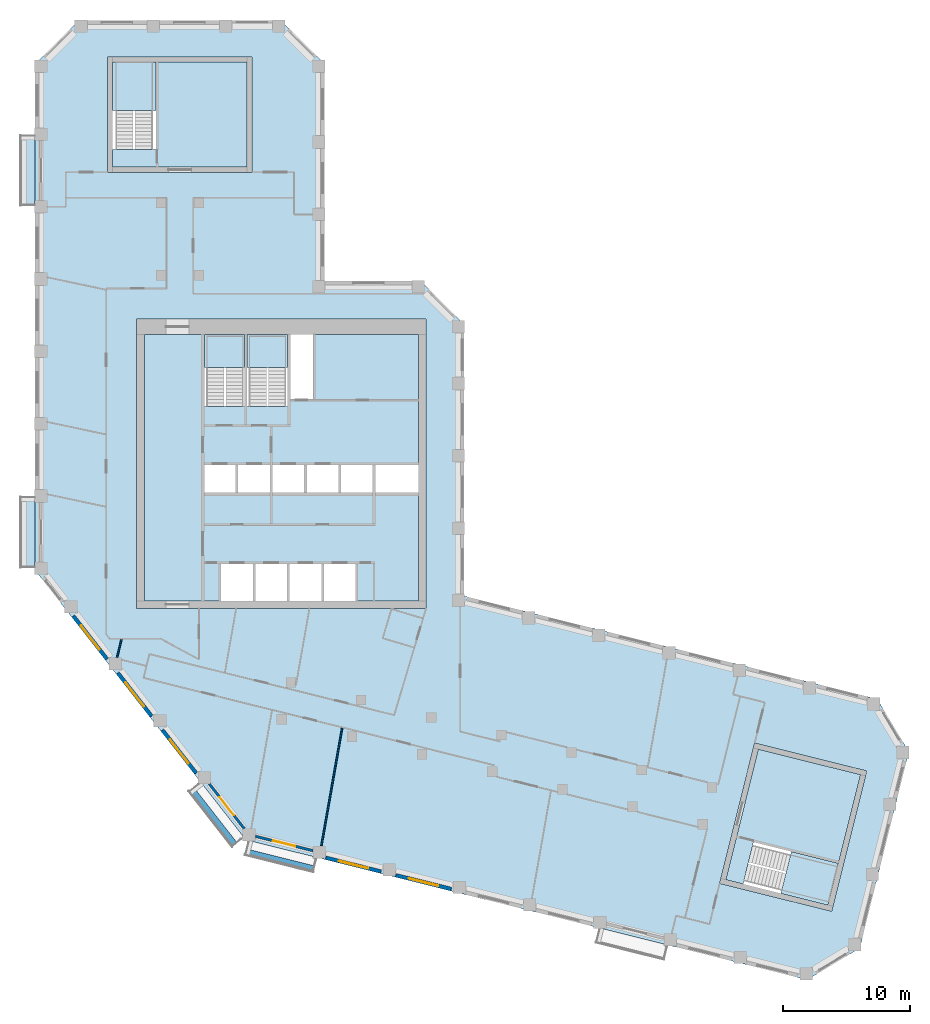
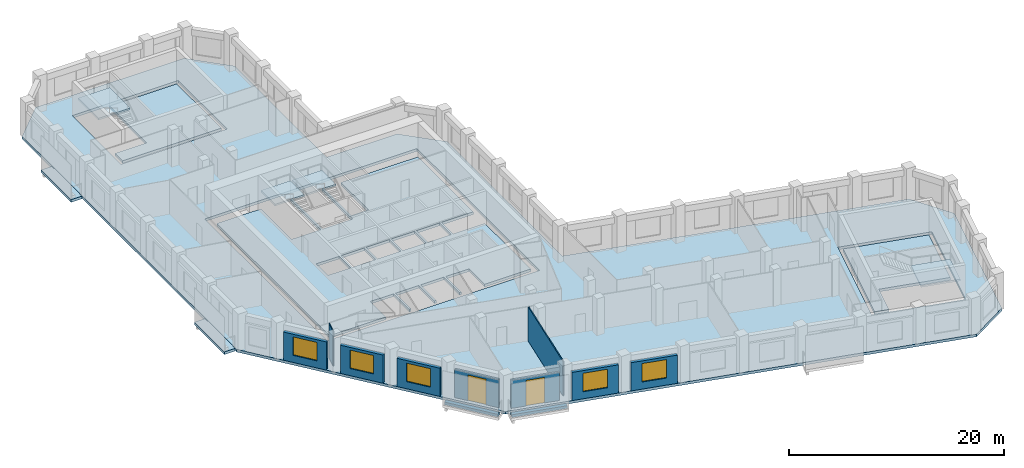
# One storey, part 2 of 9: 11 walls, 10 slabs, 5 windows, 2 doors, 7 openings, 4 elements without a shape of their own.
"""IFC4 building model written with IfcOpenShell, lengths in metres."""

from ifc_helpers import new_model, si_unit, direction, frame, frame_2d, origin, place, context, subcontext, project, spatial, polyline, rectangle, outline, extrude, material, layer, layer_set, type_object, element, fill, aggregate, save


model = new_model("IFC4")

# Units and contexts
model_context = context("Model", 3, precision=1e-05, world=origin(), true_north=direction((0.0, 1.0)))
body_context = subcontext(model_context, "Body", "Model", "MODEL_VIEW")
ifc_project = project(units=[si_unit("LENGTHUNIT", "METRE"), si_unit("AREAUNIT", "SQUARE_METRE"), si_unit("VOLUMEUNIT", "CUBIC_METRE"), si_unit("PLANEANGLEUNIT", "RADIAN"), si_unit("MASSUNIT", "GRAM", prefix="KILO")], contexts=[model_context])

# Site, building, storey
site_placement = place(None, origin())
site = spatial("IfcSite", under=ifc_project, at=site_placement, CompositionType="ELEMENT")
building_placement = place(site_placement, origin())
building = spatial("IfcBuilding", under=site, at=building_placement, Name="Meshkara Civic Tower", CompositionType="ELEMENT")
storey_placement = place(building_placement, frame((0.0, 0.0, 298.199951171875)))
storey = spatial("IfcBuildingStorey", under=building, at=storey_placement, Name="L68", CompositionType="ELEMENT", Elevation=298.199951171875)

# Slabs
ifc_material_1 = material(Name="Concrete C40", Category="concrete")
ifc_layer_1 = layer(ifc_material_1, 0.300048828125)
ifc_layer_set_1 = layer_set([ifc_layer_1], Name="BALCONY SLAB")
slab_type_1 = type_object("IfcSlabType", Name="BALCONY SLAB", PredefinedType="FLOOR", material=ifc_layer_set_1)
slab_1_placement = place(storey_placement, frame((0.0, 0.0, -0.300048828125)))
element("IfcSlab", 1, at=slab_1_placement, inside=storey, type_object=slab_type_1, Name="Balcony slab", PredefinedType="FLOOR", context=body_context, shape_type="SweptSolid", body=[
    extrude(outline(polyline([(-1.199951171875, 45.81494140625), (-1.199951171875, 51.39501953125), (-0.050048828125, 51.39501953125), (-0.050048828125, 50.955078125), (0.0, 50.955078125), (0.0, 46.2548828125), (-0.050048828125, 46.2548828125), (-0.050048828125, 45.81494140625), (-1.199951171875, 45.81494140625)])), origin(), (0.0, 0.0, 1.0), 0.300048828125),
])
slab_2_placement = place(storey_placement, frame((0.0, 0.0, -0.300048828125)))
element("IfcSlab", 2, at=slab_2_placement, inside=storey, type_object=slab_type_1, Name="Balcony slab", PredefinedType="FLOOR", context=body_context, shape_type="SweptSolid", body=[
    extrude(outline(polyline([(-1.199951171875, 17.31494140625), (-1.199951171875, 22.89501953125), (-0.050048828125, 22.89501953125), (-0.050048828125, 22.455078125), (0.0, 22.455078125), (0.0, 17.7548828125), (-0.050048828125, 17.7548828125), (-0.050048828125, 17.31494140625), (-1.199951171875, 17.31494140625)])), origin(), (0.0, 0.0, 1.0), 0.300048828125),
])
ifc_material_2 = material(Name="Concrete C40/50", Category="concrete")
ifc_layer_2 = layer(ifc_material_2, 0.300048828125)
ifc_layer_set_2 = layer_set([ifc_layer_2], Name="Core floor slab 300 C40/50")
slab_type_2 = type_object("IfcSlabType", Name="Core floor slab 300 C40/50", PredefinedType="FLOOR", material=ifc_layer_set_2)
slab_3_placement = place(storey_placement, frame((0.0, 0.0, -0.300048828125)))
element("IfcSlab", 3, at=slab_3_placement, inside=storey, type_object=slab_type_2, Name="Core floor K", PredefinedType="FLOOR", context=body_context, shape_type="SweptSolid", body=[
    extrude(outline(polyline([(8.60009765625, 35.699951171875), (13.35009765625, 35.699951171875), (13.35009765625, 30.00146484375), (16.5, 30.00146484375), (16.5, 35.699951171875), (16.699951171875, 35.699951171875), (16.699951171875, 30.00146484375), (19.89990234375, 30.00146484375), (19.89990234375, 35.699951171875), (20.10009765625, 35.699951171875), (20.10009765625, 30.574951171875), (21.925048828125, 30.574951171875), (21.925048828125, 35.699951171875), (30.199951171875, 35.699951171875), (30.199951171875, 25.39990234375), (26.800048828125, 25.39990234375), (26.800048828125, 23.25), (30.199951171875, 23.25), (30.199951171875, 14.699951171875), (25.25, 14.699951171875), (25.25, 17.60009765625), (22.75, 17.60009765625), (22.75, 14.699951171875), (22.550048828125, 14.699951171875), (22.550048828125, 17.60009765625), (20.050048828125, 17.60009765625), (20.050048828125, 14.699951171875), (19.85009765625, 14.699951171875), (19.85009765625, 17.60009765625), (17.35009765625, 17.60009765625), (17.35009765625, 14.699951171875), (17.14990234375, 14.699951171875), (17.14990234375, 17.60009765625), (14.64990234375, 17.60009765625), (14.64990234375, 14.699951171875), (8.60009765625, 14.699951171875), (8.60009765625, 35.699951171875)]), holes=[polyline([(13.35009765625, 25.39990234375), (13.35009765625, 23.25), (15.800048828125, 23.25), (15.800048828125, 25.39990234375), (13.35009765625, 25.39990234375)]), polyline([(18.5, 25.39990234375), (16.0, 25.39990234375), (16.0, 23.25), (18.5, 23.25), (18.5, 25.39990234375)]), polyline([(18.699951171875, 25.39990234375), (18.699951171875, 23.25), (21.199951171875, 23.25), (21.199951171875, 25.39990234375), (18.699951171875, 25.39990234375)]), polyline([(23.89990234375, 23.25), (23.89990234375, 25.39990234375), (21.39990234375, 25.39990234375), (21.39990234375, 23.25), (23.89990234375, 23.25)]), polyline([(26.60009765625, 25.39990234375), (24.10009765625, 25.39990234375), (24.10009765625, 23.25), (26.60009765625, 23.25), (26.60009765625, 25.39990234375)])]), origin(), (0.0, 0.0, 1.0), 0.300048828125),
])
slab_4_placement = place(storey_placement, frame((0.0, 0.0, -0.300048828125)))
element("IfcSlab", 4, at=slab_4_placement, inside=storey, type_object=slab_type_2, Name="Core floor EA", PredefinedType="FLOOR", context=body_context, shape_type="SweptSolid", body=[
    extrude(outline(polyline([(16.699951171875, 48.8701171875), (16.699951171875, 57.169921875), (9.5, 57.169921875), (9.5, 50.271484375), (6.10009765625, 50.271484375), (6.10009765625, 48.8701171875), (16.699951171875, 48.8701171875)])), origin(), (0.0, 0.0, 1.0), 0.300048828125),
])
slab_5_placement = place(storey_placement, frame((0.0, 0.0, -0.300048828125)))
element("IfcSlab", 5, at=slab_5_placement, inside=storey, type_object=slab_type_2, Name="Core floor EB", PredefinedType="FLOOR", context=body_context, shape_type="SweptSolid", body=[
    extrude(outline(polyline([(56.989013671875, 3.002197265625), (65.04248046875, 0.994384765625), (63.30078125, -5.99169921875), (56.607177734375, -4.322998046875), (55.78466796875, -7.621826171875), (54.4248046875, -7.282958984375), (56.989013671875, 3.002197265625)])), origin(), (0.0, 0.0, 1.0), 0.300048828125),
])

# Stair, slab
ifc_material_3 = material(Name="Precast concrete C40/50", Category="concrete")
stair_type = type_object("IfcStairType", Name="Exit stair half-turn 24 risers precast", PredefinedType="HALF_TURN_STAIR", material=ifc_material_3)
stair_1_placement = place(storey_placement, origin())
stair_1 = element("IfcStair", 6, at=stair_1_placement, inside=storey, type_object=stair_type, Name="L68 exit stair 1", PredefinedType="HALF_TURN_STAIR")
ifc_material_4 = material(Name="Precast concrete C40/50", Category="concrete")
ifc_layer_3 = layer(ifc_material_4, 0.199951171875)
ifc_layer_set_3 = layer_set([ifc_layer_3], Name="Exit stair landing 200")
slab_type_3 = type_object("IfcSlabType", Name="Exit stair landing 200", PredefinedType="LANDING", material=ifc_layer_set_3)
slab_6_placement = place(storey_placement, frame((0.0, 0.0, 1.900146484375)))
slab_6 = element("IfcSlab", 7, at=slab_6_placement, type_object=slab_type_3, Name="ST1 landing 1", PredefinedType="LANDING", context=body_context, shape_type="SweptSolid", body=[
    extrude(outline(polyline([(16.5, 33.07861328125), (16.5, 35.699951171875), (13.35009765625, 35.699951171875), (13.35009765625, 33.07861328125), (16.5, 33.07861328125)])), origin(), (0.0, 0.0, 1.0), 0.199951171875),
])
aggregate(stair_1, [slab_6])

stair_2_placement = place(storey_placement, origin())
stair_2 = element("IfcStair", 8, at=stair_2_placement, inside=storey, type_object=stair_type, Name="L68 exit stair 2", PredefinedType="HALF_TURN_STAIR")
slab_7_placement = place(storey_placement, frame((0.0, 0.0, 1.900146484375)))
slab_7 = element("IfcSlab", 9, at=slab_7_placement, type_object=slab_type_3, Name="ST2 landing 1", PredefinedType="LANDING", context=body_context, shape_type="SweptSolid", body=[
    extrude(outline(polyline([(19.89990234375, 33.07861328125), (19.89990234375, 35.699951171875), (16.699951171875, 35.699951171875), (16.699951171875, 33.07861328125), (19.89990234375, 33.07861328125)])), origin(), (0.0, 0.0, 1.0), 0.199951171875),
])
aggregate(stair_2, [slab_7])

stair_3_placement = place(storey_placement, origin())
stair_3 = element("IfcStair", 10, at=stair_3_placement, inside=storey, type_object=stair_type, Name="L68 exit stair A from L65", PredefinedType="HALF_TURN_STAIR")
slab_8_placement = place(storey_placement, frame((0.0, 0.0, 1.900146484375)))
slab_8 = element("IfcSlab", 11, at=slab_8_placement, type_object=slab_type_3, Name="ESA5 landing 1", PredefinedType="LANDING", context=body_context, shape_type="SweptSolid", body=[
    extrude(outline(polyline([(9.5, 53.348388671875), (9.5, 57.169921875), (6.10009765625, 57.169921875), (6.10009765625, 53.348388671875), (9.5, 53.348388671875)])), origin(), (0.0, 0.0, 1.0), 0.199951171875),
])
aggregate(stair_3, [slab_8])

stair_4_placement = place(storey_placement, origin())
stair_4 = element("IfcStair", 12, at=stair_4_placement, inside=storey, type_object=stair_type, Name="L68 exit stair B from L65", PredefinedType="HALF_TURN_STAIR")
slab_9_placement = place(storey_placement, frame((0.0, 0.0, 1.900146484375)))
slab_9 = element("IfcSlab", 13, at=slab_9_placement, type_object=slab_type_3, Name="ESB5 landing 1", PredefinedType="LANDING", context=body_context, shape_type="SweptSolid", body=[
    extrude(outline(polyline([(58.769775390625, -8.366943359375), (62.477783203125, -9.2919921875), (63.301025390625, -5.991943359375), (59.593017578125, -5.06689453125), (58.769775390625, -8.366943359375)])), origin(), (0.0, 0.0, 1.0), 0.199951171875),
])
aggregate(stair_4, [slab_9])

# Slab
ifc_material_5 = material(Name="Concrete C50", Category="concrete")
ifc_layer_4 = layer(ifc_material_5, 0.300048828125)
ifc_layer_set_4 = layer_set([ifc_layer_4], Name="Post-tensioned flat slab 300 C50")
slab_type_4 = type_object("IfcSlabType", Name="Post-tensioned flat slab 300 C50", PredefinedType="FLOOR", material=ifc_layer_set_4)
slab_10_placement = place(storey_placement, frame((0.0, 0.0, -0.300048828125)))
element("IfcSlab", 14, at=slab_10_placement, inside=storey, type_object=slab_type_4, Name="Post-tensioned flat slab L68", PredefinedType="FLOOR", context=body_context, shape_type="SweptSolid", body=[
    extrude(outline(polyline([(64.98291015625, -12.677001953125), (60.837890625, -15.1689453125), (16.592041015625, -4.136962890625), (0.0, 17.10009765625), (0.0, 57.0), (3.419921875, 60.419921875), (19.3798828125, 60.419921875), (22.800048828125, 57.0), (22.800048828125, 39.89990234375), (30.3798828125, 39.89990234375), (33.800048828125, 36.47998046875), (33.800048828125, 15.071044921875), (66.35302734375, 6.9541015625), (68.843994140625, 2.80810546875), (64.98291015625, -12.677001953125)]), holes=[polyline([(62.77001953125, -9.77587890625), (65.527099609375, 1.285888671875), (56.697998046875, 3.487060546875), (53.93994140625, -7.573974609375), (62.77001953125, -9.77587890625)]), polyline([(8.0, 14.10009765625), (30.800048828125, 14.10009765625), (30.800048828125, 36.89990234375), (8.0, 36.89990234375), (8.0, 14.10009765625)]), polyline([(5.699951171875, 57.570068359375), (5.699951171875, 48.469970703125), (17.10009765625, 48.469970703125), (17.10009765625, 57.570068359375), (5.699951171875, 57.570068359375)])]), origin(), (0.0, 0.0, 1.0), 0.300048828125),
])

# Wall, opening, window
ifc_material_6 = material(Name="Insulated infill panel with bronze anodised aluminium cladding", Category="aluminium")
ifc_layer_5 = layer(ifc_material_6, 0.300048828125)
ifc_layer_set_5 = layer_set([ifc_layer_5], Name="EXTERNAL INFILL WALL 300")
wall_type_1 = type_object("IfcWallType", Name="EXTERNAL INFILL WALL 300", PredefinedType="SOLIDWALL", material=ifc_layer_set_5)
wall_1_placement = place(storey_placement, frame((3.010009765625, 13.490966796875, 0.0), z_axis=(0.0, 0.0, 1.0), x_axis=(0.615713519567, -0.787970089421, 0.0)))
wall_1 = element("IfcWall", 15, at=wall_1_placement, inside=storey, type_object=wall_type_1, Name="External wall", PredefinedType="SOLIDWALL", context=body_context, shape_type="SweptSolid", body=[
    extrude(rectangle(XDim=4.2958984375, YDim=0.300048828125, at=frame_2d((2.14794921875, 0.0))), origin(), (0.0, 0.0, 1.0), 3.199951171875),
])
opening_1_placement = place(wall_1_placement, frame((0.947998046875, 0.0, 0.800048828125)))
opening_1 = element("IfcOpeningElement", 16, at=opening_1_placement, cuts=wall_1, Name="Opening W7", PredefinedType="OPENING", context=body_context, shape_type="SweptSolid", body=[
    extrude(rectangle(XDim=2.39990234375, YDim=2.10009765625, at=frame_2d((1.199951171875, 1.050048828125))), frame((0.0, 0.159912109375, 0.0), z_axis=(0.0, -1.0, 0.0), x_axis=(1.0, 0.0, 0.0)), (0.0, 0.0, 1.0), 0.320068359375),
])
ifc_material_7 = material(Name="Tinted double glazing", Category="glass")
window_type = type_object("IfcWindowType", Name="WINDOW 2400x2100", PartitioningType="DOUBLE_PANEL_VERTICAL", PredefinedType="WINDOW", material=ifc_material_7)
window_1_placement = place(opening_1_placement, origin())
window_1 = element("IfcWindow", 17, at=window_1_placement, inside=storey, type_object=window_type, Name="Window", OverallHeight=2.10009765625, OverallWidth=2.39990234375, PartitioningType="DOUBLE_PANEL_VERTICAL", PredefinedType="WINDOW", context=body_context, shape_type="SweptSolid", body=[
    extrude(rectangle(XDim=2.39990234375, YDim=2.10009765625, at=frame_2d((1.199951171875, 1.050048828125))), frame((0.0, 0.030029296875, 0.0), z_axis=(0.0, -1.0, 0.0), x_axis=(1.0, 0.0, 0.0)), (0.0, 0.0, 1.0), 0.06005859375),
])
fill(opening_1, window_1)

wall_2_placement = place(storey_placement, frame((6.51904296875, 9.0, 0.0), z_axis=(0.0, 0.0, 1.0), x_axis=(0.615634121154, -0.788032124263, 0.0)))
wall_2 = element("IfcWall", 18, at=wall_2_placement, inside=storey, type_object=wall_type_1, Name="External wall", PredefinedType="SOLIDWALL", context=body_context, shape_type="SweptSolid", body=[
    extrude(rectangle(XDim=4.298095703125, YDim=0.300048828125, at=frame_2d((2.14892578125, 0.0))), origin(), (0.0, 0.0, 1.0), 3.199951171875),
])
opening_2_placement = place(wall_2_placement, frame((0.948974609375, 0.0, 0.800048828125)))
opening_2 = element("IfcOpeningElement", 19, at=opening_2_placement, cuts=wall_2, Name="Opening W7", PredefinedType="OPENING", context=body_context, shape_type="SweptSolid", body=[
    extrude(rectangle(XDim=2.39990234375, YDim=2.10009765625, at=frame_2d((1.199951171875, 1.050048828125))), frame((0.0, 0.159912109375, 0.0), z_axis=(0.0, -1.0, 0.0), x_axis=(1.0, 0.0, 0.0)), (0.0, 0.0, 1.0), 0.320068359375),
])
window_2_placement = place(opening_2_placement, origin())
window_2 = element("IfcWindow", 20, at=window_2_placement, inside=storey, type_object=window_type, Name="Window", OverallHeight=2.10009765625, OverallWidth=2.39990234375, PartitioningType="DOUBLE_PANEL_VERTICAL", PredefinedType="WINDOW", context=body_context, shape_type="SweptSolid", body=[
    extrude(rectangle(XDim=2.39990234375, YDim=2.10009765625, at=frame_2d((1.199951171875, 1.050048828125))), frame((0.0, 0.030029296875, 0.0), z_axis=(0.0, -1.0, 0.0), x_axis=(1.0, 0.0, 0.0)), (0.0, 0.0, 1.0), 0.06005859375),
])
fill(opening_2, window_2)

wall_3_placement = place(storey_placement, frame((10.029052734375, 4.507080078125, 0.0), z_axis=(0.0, 0.0, 1.0), x_axis=(0.615572343689, -0.788080382756, 0.0)))
wall_3 = element("IfcWall", 21, at=wall_3_placement, inside=storey, type_object=wall_type_1, Name="External wall", PredefinedType="SOLIDWALL", context=body_context, shape_type="SweptSolid", body=[
    extrude(rectangle(XDim=4.295166015625, YDim=0.300048828125, at=frame_2d((2.1474609375, 0.0))), origin(), (0.0, 0.0, 1.0), 3.199951171875),
])
opening_3_placement = place(wall_3_placement, frame((0.947998046875, 0.0, 0.800048828125)))
opening_3 = element("IfcOpeningElement", 22, at=opening_3_placement, cuts=wall_3, Name="Opening W7", PredefinedType="OPENING", context=body_context, shape_type="SweptSolid", body=[
    extrude(rectangle(XDim=2.39990234375, YDim=2.10009765625, at=frame_2d((1.199951171875, 1.050048828125))), frame((0.0, 0.159912109375, 0.0), z_axis=(0.0, -1.0, 0.0), x_axis=(1.0, 0.0, 0.0)), (0.0, 0.0, 1.0), 0.320068359375),
])
window_3_placement = place(opening_3_placement, origin())
window_3 = element("IfcWindow", 23, at=window_3_placement, inside=storey, type_object=window_type, Name="Window", OverallHeight=2.10009765625, OverallWidth=2.39990234375, PartitioningType="DOUBLE_PANEL_VERTICAL", PredefinedType="WINDOW", context=body_context, shape_type="SweptSolid", body=[
    extrude(rectangle(XDim=2.39990234375, YDim=2.10009765625, at=frame_2d((1.199951171875, 1.050048828125))), frame((0.0, 0.030029296875, 0.0), z_axis=(0.0, -1.0, 0.0), x_axis=(1.0, 0.0, 0.0)), (0.0, 0.0, 1.0), 0.06005859375),
])
fill(opening_3, window_3)

wall_4_placement = place(storey_placement, frame((22.89794921875, -5.554931640625, 0.0), z_axis=(0.0, 0.0, 1.0), x_axis=(0.970315118421, -0.24184410467, 0.0)))
wall_4 = element("IfcWall", 24, at=wall_4_placement, inside=storey, type_object=wall_type_1, Name="External wall", PredefinedType="SOLIDWALL", context=body_context, shape_type="SweptSolid", body=[
    extrude(rectangle(XDim=4.486083984375, YDim=0.300048828125, at=frame_2d((2.2431640625, 0.0))), origin(), (0.0, 0.0, 1.0), 3.199951171875),
])
opening_4_placement = place(wall_4_placement, frame((1.0439453125, 0.0, 0.800048828125)))
opening_4 = element("IfcOpeningElement", 25, at=opening_4_placement, cuts=wall_4, Name="Opening W7", PredefinedType="OPENING", context=body_context, shape_type="SweptSolid", body=[
    extrude(rectangle(XDim=2.39990234375, YDim=2.10009765625, at=frame_2d((1.199951171875, 1.050048828125))), frame((0.0, 0.159912109375, 0.0), z_axis=(0.0, -1.0, 0.0), x_axis=(1.0, 0.0, 0.0)), (0.0, 0.0, 1.0), 0.320068359375),
])
window_4_placement = place(opening_4_placement, origin())
window_4 = element("IfcWindow", 26, at=window_4_placement, inside=storey, type_object=window_type, Name="Window", OverallHeight=2.10009765625, OverallWidth=2.39990234375, PartitioningType="DOUBLE_PANEL_VERTICAL", PredefinedType="WINDOW", context=body_context, shape_type="SweptSolid", body=[
    extrude(rectangle(XDim=2.39990234375, YDim=2.10009765625, at=frame_2d((1.199951171875, 1.050048828125))), frame((0.0, 0.030029296875, 0.0), z_axis=(0.0, -1.0, 0.0), x_axis=(1.0, 0.0, 0.0)), (0.0, 0.0, 1.0), 0.06005859375),
])
fill(opening_4, window_4)

wall_5_placement = place(storey_placement, frame((28.427978515625, -6.93310546875, 0.0), z_axis=(0.0, 0.0, 1.0), x_axis=(0.970276766004, -0.241997928406, 0.0)))
wall_5 = element("IfcWall", 27, at=wall_5_placement, inside=storey, type_object=wall_type_1, Name="External wall", PredefinedType="SOLIDWALL", context=body_context, shape_type="SweptSolid", body=[
    extrude(rectangle(XDim=4.4873046875, YDim=0.300048828125, at=frame_2d((2.24365234375, 0.0))), origin(), (0.0, 0.0, 1.0), 3.199951171875),
])
opening_5_placement = place(wall_5_placement, frame((1.0439453125, 0.0, 0.800048828125)))
opening_5 = element("IfcOpeningElement", 28, at=opening_5_placement, cuts=wall_5, Name="Opening W7", PredefinedType="OPENING", context=body_context, shape_type="SweptSolid", body=[
    extrude(rectangle(XDim=2.39990234375, YDim=2.10009765625, at=frame_2d((1.199951171875, 1.050048828125))), frame((0.0, 0.159912109375, 0.0), z_axis=(0.0, -1.0, 0.0), x_axis=(1.0, 0.0, 0.0)), (0.0, 0.0, 1.0), 0.320068359375),
])
window_5_placement = place(opening_5_placement, origin())
window_5 = element("IfcWindow", 29, at=window_5_placement, inside=storey, type_object=window_type, Name="Window", OverallHeight=2.10009765625, OverallWidth=2.39990234375, PartitioningType="DOUBLE_PANEL_VERTICAL", PredefinedType="WINDOW", context=body_context, shape_type="SweptSolid", body=[
    extrude(rectangle(XDim=2.39990234375, YDim=2.10009765625, at=frame_2d((1.199951171875, 1.050048828125))), frame((0.0, 0.030029296875, 0.0), z_axis=(0.0, -1.0, 0.0), x_axis=(1.0, 0.0, 0.0)), (0.0, 0.0, 1.0), 0.06005859375),
])
fill(opening_5, window_5)

# Wall, opening, door
ifc_material_8 = material(Name="Insulated infill panel with bronze anodised aluminium cladding", Category="aluminium")
ifc_layer_6 = layer(ifc_material_8, 0.199951171875)
ifc_layer_set_6 = layer_set([ifc_layer_6], Name="LOGGIA BACK WALL 200")
wall_type_2 = type_object("IfcWallType", Name="LOGGIA BACK WALL 200", PredefinedType="SOLIDWALL", material=ifc_layer_set_6)
wall_6_placement = place(storey_placement, frame((13.73291015625, 0.25390625, 0.0), z_axis=(0.0, 0.0, 1.0), x_axis=(0.615499674676, -0.788137139382, 0.0)))
wall_6 = element("IfcWall", 30, at=wall_6_placement, inside=storey, type_object=wall_type_2, Name="Loggia wall", PredefinedType="SOLIDWALL", context=body_context, shape_type="SweptSolid", body=[
    extrude(rectangle(XDim=4.4306640625, YDim=0.199951171875, at=frame_2d((2.21533203125, 0.0))), origin(), (0.0, 0.0, 1.0), 3.199951171875),
])
opening_6_placement = place(wall_6_placement, frame((1.31494140625, 0.0, 0.0)))
opening_6 = element("IfcOpeningElement", 31, at=opening_6_placement, cuts=wall_6, Name="Opening L68-L003", PredefinedType="OPENING", context=body_context, shape_type="SweptSolid", body=[
    extrude(rectangle(XDim=1.800048828125, YDim=2.89990234375, at=frame_2d((0.89990234375, 1.449951171875))), frame((0.0, 0.10986328125, 0.0), z_axis=(0.0, -1.0, 0.0), x_axis=(1.0, 0.0, 0.0)), (0.0, 0.0, 1.0), 0.219970703125),
])
ifc_material_9 = material(Name="Tinted double glazing", Category="glass")
door_type = type_object("IfcDoorType", Name="LOGGIA DOOR 1800x2900", OperationType="DOUBLE_DOOR_SINGLE_SWING", PredefinedType="DOOR", material=ifc_material_9)
door_1_placement = place(opening_6_placement, origin())
door_1 = element("IfcDoor", 32, at=door_1_placement, inside=storey, type_object=door_type, Name="L68-L003", OperationType="DOUBLE_DOOR_SINGLE_SWING", OverallHeight=2.89990234375, OverallWidth=1.800048828125, PredefinedType="DOOR", context=body_context, shape_type="SweptSolid", body=[
    extrude(rectangle(XDim=1.800048828125, YDim=2.89990234375, at=frame_2d((0.89990234375, 1.449951171875))), frame((0.0, 0.02490234375, 0.0), z_axis=(0.0, -1.0, 0.0), x_axis=(1.0, 0.0, 0.0)), (0.0, 0.0, 1.0), 0.050048828125),
])
fill(opening_6, door_1)

wall_7_placement = place(storey_placement, frame((17.35107421875, -3.863037109375, 0.0), z_axis=(0.0, 0.0, 1.0), x_axis=(0.970335948358, -0.241760516472, 0.0)))
wall_7 = element("IfcWall", 33, at=wall_7_placement, inside=storey, type_object=wall_type_2, Name="Loggia wall", PredefinedType="SOLIDWALL", context=body_context, shape_type="SweptSolid", body=[
    extrude(rectangle(XDim=4.66943359375, YDim=0.199951171875, at=frame_2d((2.334716796875, 0.0))), origin(), (0.0, 0.0, 1.0), 3.199951171875),
])
opening_7_placement = place(wall_7_placement, frame((1.43408203125, 0.0, 0.0)))
opening_7 = element("IfcOpeningElement", 34, at=opening_7_placement, cuts=wall_7, Name="Opening L68-L004", PredefinedType="OPENING", context=body_context, shape_type="SweptSolid", body=[
    extrude(rectangle(XDim=1.800048828125, YDim=2.89990234375, at=frame_2d((0.89990234375, 1.449951171875))), frame((0.0, 0.10986328125, 0.0), z_axis=(0.0, -1.0, 0.0), x_axis=(1.0, 0.0, 0.0)), (0.0, 0.0, 1.0), 0.219970703125),
])
door_2_placement = place(opening_7_placement, origin())
door_2 = element("IfcDoor", 35, at=door_2_placement, inside=storey, type_object=door_type, Name="L68-L004", OperationType="DOUBLE_DOOR_SINGLE_SWING", OverallHeight=2.89990234375, OverallWidth=1.800048828125, PredefinedType="DOOR", context=body_context, shape_type="SweptSolid", body=[
    extrude(rectangle(XDim=1.800048828125, YDim=2.89990234375, at=frame_2d((0.89990234375, 1.449951171875))), frame((0.0, 0.02490234375, 0.0), z_axis=(0.0, -1.0, 0.0), x_axis=(1.0, 0.0, 0.0)), (0.0, 0.0, 1.0), 0.050048828125),
])
fill(opening_7, door_2)

# Walls
ifc_material_10 = material(Name="Concrete C40", Category="concrete")
ifc_layer_7 = layer(ifc_material_10, 0.39990234375)
ifc_layer_set_7 = layer_set([ifc_layer_7], Name="PLANTER TRAY")
wall_type_3 = type_object("IfcWallType", Name="PLANTER TRAY", PredefinedType="SOLIDWALL", material=ifc_layer_set_7)
wall_8_placement = place(storey_placement, frame((12.39794921875, -0.198974609375, 0.0), z_axis=(0.0, 0.0, 1.0), x_axis=(0.615638738903, -0.788028516719, 0.0)))
element("IfcWall", 36, at=wall_8_placement, inside=storey, type_object=wall_type_3, Name="Planter", PredefinedType="SOLIDWALL", context=body_context, shape_type="SweptSolid", body=[
    extrude(rectangle(XDim=5.3603515625, YDim=0.39990234375, at=frame_2d((2.68017578125, 0.0))), origin(), (0.0, 0.0, 1.0), 0.300048828125),
])
wall_9_placement = place(storey_placement, frame((16.694091796875, -5.069091796875, 0.0), z_axis=(0.0, 0.0, 1.0), x_axis=(0.970289679319, -0.241946147329, 0.0)))
element("IfcWall", 37, at=wall_9_placement, inside=storey, type_object=wall_type_3, Name="Planter", PredefinedType="SOLIDWALL", context=body_context, shape_type="SweptSolid", body=[
    extrude(rectangle(XDim=5.360107421875, YDim=0.39990234375, at=frame_2d((2.68017578125, 0.0))), origin(), (0.0, 0.0, 1.0), 0.300048828125),
])
ifc_material_11 = material(Name="Partition 100")
ifc_layer_8 = layer(ifc_material_11, 0.10009765625)
ifc_layer_set_8 = layer_set([ifc_layer_8], Name="Partition 100")
wall_type_4 = type_object("IfcWallType", Name="Partition 100", PredefinedType="PARTITIONING", material=ifc_layer_set_8)
wall_10_placement = place(storey_placement, frame((6.797119140625, 11.637939453125, 0.0), z_axis=(0.0, 0.0, 1.0), x_axis=(-0.242456058691, -0.970162388265, 0.0)))
element("IfcWall", 38, at=wall_10_placement, inside=storey, type_object=wall_type_4, Name="L68-W039", PredefinedType="PARTITIONING", context=body_context, shape_type="SweptSolid", body=[
    extrude(rectangle(XDim=1.44384765625, YDim=0.10009765625, at=frame_2d((0.721923828125, 0.0))), origin(), (0.0, 0.0, 1.0), 3.900146484375),
])
wall_11_placement = place(storey_placement, frame((22.552001953125, -4.616943359375, 0.0), z_axis=(0.0, 0.0, 1.0), x_axis=(0.173625790791, 0.98481170016, 0.0)))
element("IfcWall", 39, at=wall_11_placement, inside=storey, type_object=wall_type_4, Name="L68-W046", PredefinedType="PARTITIONING", context=body_context, shape_type="SweptSolid", body=[
    extrude(rectangle(XDim=9.42822265625, YDim=0.10009765625, at=frame_2d((4.714111328125, 0.0))), origin(), (0.0, 0.0, 1.0), 3.900146484375),
])

save(model, "model.ifc")
